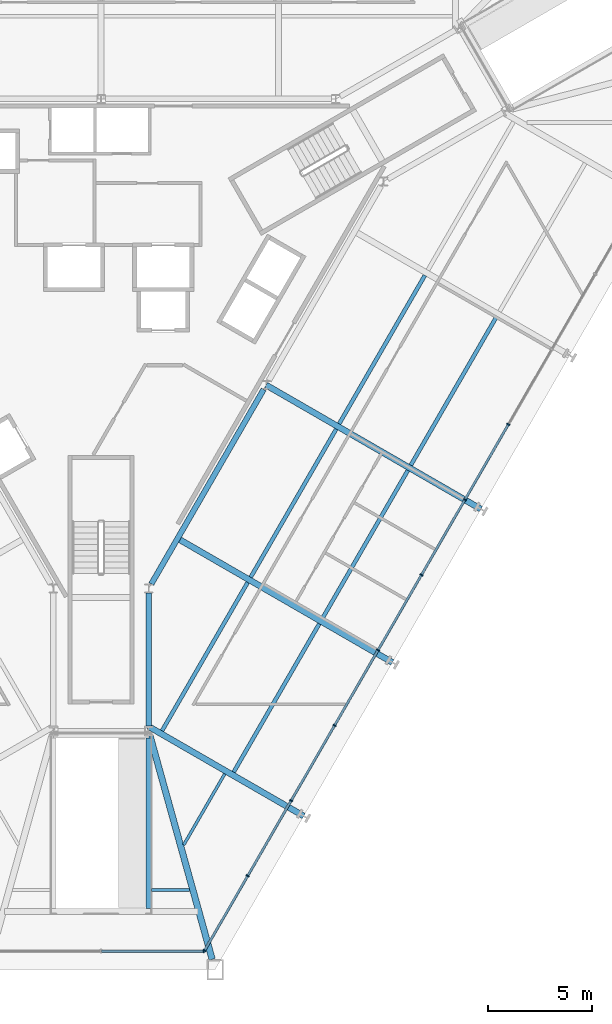
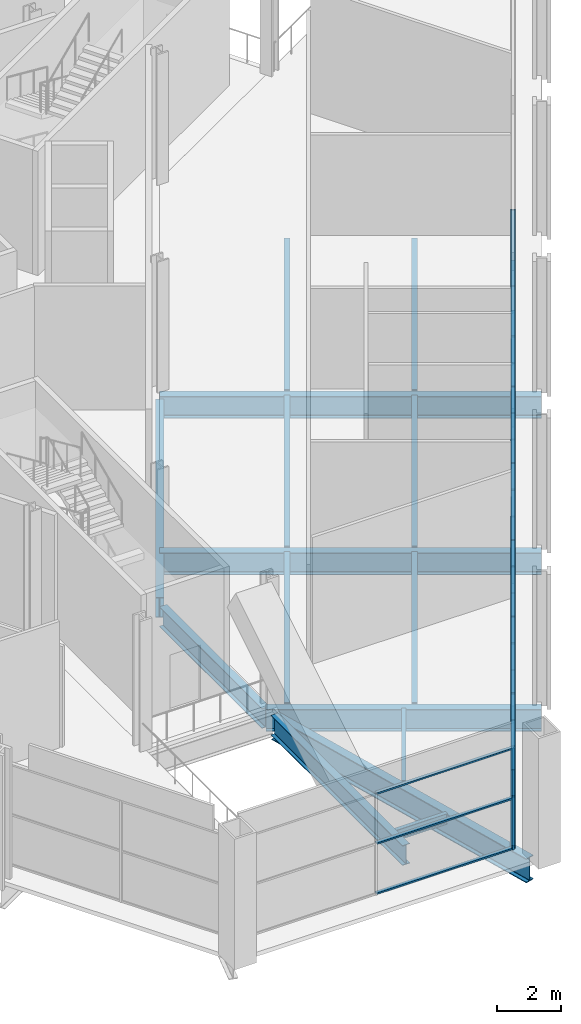
# One storey, part 4 of 20: 33 members, 15 beams, 2 elements without a shape of their own.
"""IFC4 building model written with IfcOpenShell, lengths in metres."""

from ifc_helpers import new_model, si_unit, direction, frame, origin, origin_2d, place, context, subcontext, project, spatial, rectangle, i_section, extrude, material, layer, layer_set, material_profile, profile_set, type_object, element, aggregate, save


model = new_model("IFC4")

# Units and contexts
model_context = context("Model", 3, precision=1e-05, world=origin(), true_north=direction((0.0, 1.0)))
body_context = subcontext(model_context, "Body", "Model", "MODEL_VIEW")
ifc_project = project(units=[si_unit("LENGTHUNIT", "METRE"), si_unit("AREAUNIT", "SQUARE_METRE"), si_unit("VOLUMEUNIT", "CUBIC_METRE"), si_unit("PLANEANGLEUNIT", "RADIAN"), si_unit("MASSUNIT", "GRAM", prefix="KILO")], contexts=[model_context])

# Site, building, storey
site_placement = place(None, origin())
site = spatial("IfcSite", under=ifc_project, at=site_placement, CompositionType="ELEMENT")
building_placement = place(site_placement, origin())
building = spatial("IfcBuilding", under=site, at=building_placement, Name="Verrane Prism Tower", CompositionType="ELEMENT")
storey_placement = place(building_placement, frame((0.0, 0.0, 17.39990234375)))
storey = spatial("IfcBuildingStorey", under=building, at=storey_placement, Name="L02", CompositionType="ELEMENT", Elevation=17.39990234375)

# Curtain wall, member
ifc_material_1 = material(Name="Aluminium and glass curtain wall", Category="aluminium")
ifc_layer = layer(ifc_material_1, 0.199951171875)
ifc_layer_set = layer_set([ifc_layer], Name="CWB-1 retail curtain wall")
curtain_wall_type = type_object("IfcCurtainWallType", Name="CWB-1 retail curtain wall", PredefinedType="NOTDEFINED", material=ifc_layer_set)
curtain_wall_1_placement = place(storey_placement, origin())
curtain_wall_1 = element("IfcCurtainWall", 1, at=curtain_wall_1_placement, inside=storey, type_object=curtain_wall_type, Name="Retail curtain wall L02 5", PredefinedType="NOTDEFINED")
ifc_material_2 = material(Name="Aluminium", Category="aluminium")
ifc_material_profile_1 = material_profile(ifc_material_2, rectangle(XDim=0.159912109375, YDim=0.06005859375, at=origin_2d()), Name="CWB-M 60x160 mullion")
ifc_profile_set_1 = profile_set([ifc_material_profile_1], Name="Aluminium")
member_type_1 = type_object("IfcMemberType", Name="CWB-M 60x160 mullion", PredefinedType="MULLION", material=ifc_profile_set_1)
member_1_placement = place(storey_placement, frame((4.950439453125, -31.913818359375, 0.0), z_axis=(0.0, 0.0, 1.0), x_axis=(0.0, 1.0, 0.0)))
member_1 = element("IfcMember", 2, at=member_1_placement, type_object=member_type_1, Name="CWB25 mullion 3", PredefinedType="MULLION", context=body_context, shape_type="SweptSolid", body=[
    extrude(rectangle(XDim=0.159912109375, YDim=0.06005859375, at=origin_2d()), origin(), (0.0, 0.0, 1.0), 3.89013671875),
])

# Curtain wall, members
curtain_wall_2_placement = place(storey_placement, origin())
curtain_wall_2 = element("IfcCurtainWall", 3, at=curtain_wall_2_placement, inside=storey, type_object=curtain_wall_type, Name="Retail curtain wall L02 6", PredefinedType="NOTDEFINED")
member_2_placement = place(storey_placement, frame((4.995361328125, -31.8876953125, 0.0), z_axis=(0.0, 0.0, 1.0), x_axis=(-0.866025335097, 0.50000011897, 0.0)))
member_2 = element("IfcMember", 4, at=member_2_placement, type_object=member_type_1, Name="CWB26 mullion 1", PredefinedType="MULLION", context=body_context, shape_type="SweptSolid", body=[
    extrude(rectangle(XDim=0.159912109375, YDim=0.06005859375, at=origin_2d()), origin(), (0.0, 0.0, 1.0), 3.89013671875),
])
member_3_placement = place(storey_placement, frame((7.075927734375, -28.283935546875, 0.0), z_axis=(0.0, 0.0, 1.0), x_axis=(-0.866025335097, 0.50000011897, 0.0)))
member_3 = element("IfcMember", 5, at=member_3_placement, type_object=member_type_1, Name="CWB26 mullion 2", PredefinedType="MULLION", context=body_context, shape_type="SweptSolid", body=[
    extrude(rectangle(XDim=0.159912109375, YDim=0.06005859375, at=origin_2d()), origin(), (0.0, 0.0, 1.0), 3.89013671875),
])
member_4_placement = place(storey_placement, frame((9.171630859375, -24.654052734375, 0.0), z_axis=(0.0, 0.0, 1.0), x_axis=(-0.866025335097, 0.50000011897, 0.0)))
member_4 = element("IfcMember", 6, at=member_4_placement, type_object=member_type_1, Name="CWB26 mullion 3", PredefinedType="MULLION", context=body_context, shape_type="SweptSolid", body=[
    extrude(rectangle(XDim=0.159912109375, YDim=0.06005859375, at=origin_2d()), origin(), (0.0, 0.0, 1.0), 3.89013671875),
])
member_5_placement = place(storey_placement, frame((11.267333984375, -21.0244140625, 0.0), z_axis=(0.0, 0.0, 1.0), x_axis=(-0.866025335097, 0.50000011897, 0.0)))
member_5 = element("IfcMember", 7, at=member_5_placement, type_object=member_type_1, Name="CWB26 mullion 4", PredefinedType="MULLION", context=body_context, shape_type="SweptSolid", body=[
    extrude(rectangle(XDim=0.159912109375, YDim=0.06005859375, at=origin_2d()), origin(), (0.0, 0.0, 1.0), 3.89013671875),
])
member_6_placement = place(storey_placement, frame((13.363037109375, -17.39453125, 0.0), z_axis=(0.0, 0.0, 1.0), x_axis=(-0.866025335097, 0.50000011897, 0.0)))
member_6 = element("IfcMember", 8, at=member_6_placement, type_object=member_type_1, Name="CWB26 mullion 5", PredefinedType="MULLION", context=body_context, shape_type="SweptSolid", body=[
    extrude(rectangle(XDim=0.159912109375, YDim=0.06005859375, at=origin_2d()), origin(), (0.0, 0.0, 1.0), 3.89013671875),
])
member_7_placement = place(storey_placement, frame((15.458740234375, -13.764892578125, 0.0), z_axis=(0.0, 0.0, 1.0), x_axis=(-0.866025335097, 0.50000011897, 0.0)))
member_7 = element("IfcMember", 9, at=member_7_placement, type_object=member_type_1, Name="CWB26 mullion 6", PredefinedType="MULLION", context=body_context, shape_type="SweptSolid", body=[
    extrude(rectangle(XDim=0.159912109375, YDim=0.06005859375, at=origin_2d()), origin(), (0.0, 0.0, 1.0), 3.89013671875),
])
member_8_placement = place(storey_placement, frame((17.554443359375, -10.135009765625, 0.0), z_axis=(0.0, 0.0, 1.0), x_axis=(-0.866025335097, 0.50000011897, 0.0)))
member_8 = element("IfcMember", 10, at=member_8_placement, type_object=member_type_1, Name="CWB26 mullion 7", PredefinedType="MULLION", context=body_context, shape_type="SweptSolid", body=[
    extrude(rectangle(XDim=0.159912109375, YDim=0.06005859375, at=origin_2d()), origin(), (0.0, 0.0, 1.0), 3.89013671875),
])
member_9_placement = place(storey_placement, frame((19.64990234375, -6.505126953125, 0.0), z_axis=(0.0, 0.0, 1.0), x_axis=(-0.866025335097, 0.50000011897, 0.0)))
member_9 = element("IfcMember", 11, at=member_9_placement, type_object=member_type_1, Name="CWB26 mullion 8", PredefinedType="MULLION", context=body_context, shape_type="SweptSolid", body=[
    extrude(rectangle(XDim=0.159912109375, YDim=0.06005859375, at=origin_2d()), origin(), (0.0, 0.0, 1.0), 3.89013671875),
])

# Member
ifc_material_3 = material(Name="Aluminium", Category="aluminium")
ifc_material_profile_2 = material_profile(ifc_material_3, rectangle(XDim=0.1201171875, YDim=0.06005859375, at=origin_2d()), Name="CWB-T 60x120 transom")
ifc_profile_set_2 = profile_set([ifc_material_profile_2], Name="Aluminium")
member_type_2 = type_object("IfcMemberType", Name="CWB-T 60x120 transom", PredefinedType="USERDEFINED", material=ifc_profile_set_2)
member_10_placement = place(storey_placement, frame((0.030029296875, -31.913818359375, 0.030029296875), z_axis=(1.0, 0.0, 0.0), x_axis=(0.0, 1.0, 0.0)))
member_10 = element("IfcMember", 12, at=member_10_placement, type_object=member_type_2, Name="CWB25 transom 2.1", ObjectType="TRANSOM", PredefinedType="USERDEFINED", context=body_context, shape_type="SweptSolid", body=[
    extrude(rectangle(XDim=0.1201171875, YDim=0.06005859375, at=origin_2d()), origin(), (0.0, 0.0, 1.0), 4.890380859375),
])

member_11_placement = place(storey_placement, frame((0.030029296875, -31.913818359375, 1.945068359375), z_axis=(1.0, 0.0, 0.0), x_axis=(0.0, 1.0, 0.0)))
member_11 = element("IfcMember", 13, at=member_11_placement, type_object=member_type_2, Name="CWB25 transom 2.2", ObjectType="TRANSOM", PredefinedType="USERDEFINED", context=body_context, shape_type="SweptSolid", body=[
    extrude(rectangle(XDim=0.1201171875, YDim=0.06005859375, at=origin_2d()), origin(), (0.0, 0.0, 1.0), 4.890380859375),
])

member_12_placement = place(storey_placement, frame((0.030029296875, -31.913818359375, 3.860107421875), z_axis=(1.0, 0.0, 0.0), x_axis=(0.0, 1.0, 0.0)))
member_12 = element("IfcMember", 14, at=member_12_placement, type_object=member_type_2, Name="CWB25 transom 2.3", ObjectType="TRANSOM", PredefinedType="USERDEFINED", context=body_context, shape_type="SweptSolid", body=[
    extrude(rectangle(XDim=0.1201171875, YDim=0.06005859375, at=origin_2d()), origin(), (0.0, 0.0, 1.0), 4.890380859375),
])

aggregate(curtain_wall_1, [member_1, member_10, member_11, member_12])

member_13_placement = place(storey_placement, frame((5.010498046875, -31.86181640625, 0.030029296875), z_axis=(0.499961200281, 0.866047803654, 0.0), x_axis=(-0.866047803654, 0.499961200281, 0.0)))
member_13 = element("IfcMember", 15, at=member_13_placement, type_object=member_type_2, Name="CWB26 transom 1.1", ObjectType="TRANSOM", PredefinedType="USERDEFINED", context=body_context, shape_type="SweptSolid", body=[
    extrude(rectangle(XDim=0.1201171875, YDim=0.06005859375, at=origin_2d()), origin(), (0.0, 0.0, 1.0), 4.101318359375),
])

member_14_placement = place(storey_placement, frame((5.010498046875, -31.86181640625, 1.945068359375), z_axis=(0.499961200281, 0.866047803654, 0.0), x_axis=(-0.866047803654, 0.499961200281, 0.0)))
member_14 = element("IfcMember", 16, at=member_14_placement, type_object=member_type_2, Name="CWB26 transom 1.2", ObjectType="TRANSOM", PredefinedType="USERDEFINED", context=body_context, shape_type="SweptSolid", body=[
    extrude(rectangle(XDim=0.1201171875, YDim=0.06005859375, at=origin_2d()), origin(), (0.0, 0.0, 1.0), 4.101318359375),
])

member_15_placement = place(storey_placement, frame((5.010498046875, -31.86181640625, 3.860107421875), z_axis=(0.499961200281, 0.866047803654, 0.0), x_axis=(-0.866047803654, 0.499961200281, 0.0)))
member_15 = element("IfcMember", 17, at=member_15_placement, type_object=member_type_2, Name="CWB26 transom 1.3", ObjectType="TRANSOM", PredefinedType="USERDEFINED", context=body_context, shape_type="SweptSolid", body=[
    extrude(rectangle(XDim=0.1201171875, YDim=0.06005859375, at=origin_2d()), origin(), (0.0, 0.0, 1.0), 4.101318359375),
])

member_16_placement = place(storey_placement, frame((7.091064453125, -28.258056640625, 0.030029296875), z_axis=(0.499996977546, 0.866027148792, 0.0), x_axis=(-0.866027148792, 0.499996977546, 0.0)))
member_16 = element("IfcMember", 18, at=member_16_placement, type_object=member_type_2, Name="CWB26 transom 2.1", ObjectType="TRANSOM", PredefinedType="USERDEFINED", context=body_context, shape_type="SweptSolid", body=[
    extrude(rectangle(XDim=0.1201171875, YDim=0.06005859375, at=origin_2d()), origin(), (0.0, 0.0, 1.0), 4.13134765625),
])

member_17_placement = place(storey_placement, frame((7.091064453125, -28.258056640625, 1.945068359375), z_axis=(0.499996977546, 0.866027148792, 0.0), x_axis=(-0.866027148792, 0.499996977546, 0.0)))
member_17 = element("IfcMember", 19, at=member_17_placement, type_object=member_type_2, Name="CWB26 transom 2.2", ObjectType="TRANSOM", PredefinedType="USERDEFINED", context=body_context, shape_type="SweptSolid", body=[
    extrude(rectangle(XDim=0.1201171875, YDim=0.06005859375, at=origin_2d()), origin(), (0.0, 0.0, 1.0), 4.13134765625),
])

member_18_placement = place(storey_placement, frame((7.091064453125, -28.258056640625, 3.860107421875), z_axis=(0.499996977546, 0.866027148792, 0.0), x_axis=(-0.866027148792, 0.499996977546, 0.0)))
member_18 = element("IfcMember", 20, at=member_18_placement, type_object=member_type_2, Name="CWB26 transom 2.3", ObjectType="TRANSOM", PredefinedType="USERDEFINED", context=body_context, shape_type="SweptSolid", body=[
    extrude(rectangle(XDim=0.1201171875, YDim=0.06005859375, at=origin_2d()), origin(), (0.0, 0.0, 1.0), 4.13134765625),
])

member_19_placement = place(storey_placement, frame((9.186767578125, -24.628173828125, 0.030029296875), z_axis=(0.499996977546, 0.866027148792, 0.0), x_axis=(-0.866027148792, 0.499996977546, 0.0)))
member_19 = element("IfcMember", 21, at=member_19_placement, type_object=member_type_2, Name="CWB26 transom 3.1", ObjectType="TRANSOM", PredefinedType="USERDEFINED", context=body_context, shape_type="SweptSolid", body=[
    extrude(rectangle(XDim=0.1201171875, YDim=0.06005859375, at=origin_2d()), origin(), (0.0, 0.0, 1.0), 4.13134765625),
])

member_20_placement = place(storey_placement, frame((9.186767578125, -24.628173828125, 1.945068359375), z_axis=(0.499996977546, 0.866027148792, 0.0), x_axis=(-0.866027148792, 0.499996977546, 0.0)))
member_20 = element("IfcMember", 22, at=member_20_placement, type_object=member_type_2, Name="CWB26 transom 3.2", ObjectType="TRANSOM", PredefinedType="USERDEFINED", context=body_context, shape_type="SweptSolid", body=[
    extrude(rectangle(XDim=0.1201171875, YDim=0.06005859375, at=origin_2d()), origin(), (0.0, 0.0, 1.0), 4.13134765625),
])

member_21_placement = place(storey_placement, frame((9.186767578125, -24.628173828125, 3.860107421875), z_axis=(0.499996977546, 0.866027148792, 0.0), x_axis=(-0.866027148792, 0.499996977546, 0.0)))
member_21 = element("IfcMember", 23, at=member_21_placement, type_object=member_type_2, Name="CWB26 transom 3.3", ObjectType="TRANSOM", PredefinedType="USERDEFINED", context=body_context, shape_type="SweptSolid", body=[
    extrude(rectangle(XDim=0.1201171875, YDim=0.06005859375, at=origin_2d()), origin(), (0.0, 0.0, 1.0), 4.13134765625),
])

member_22_placement = place(storey_placement, frame((11.282470703125, -20.998291015625, 0.030029296875), z_axis=(0.499978243488, 0.866037964548, 0.0), x_axis=(-0.866037964548, 0.499978243488, 0.0)))
member_22 = element("IfcMember", 24, at=member_22_placement, type_object=member_type_2, Name="CWB26 transom 4.1", ObjectType="TRANSOM", PredefinedType="USERDEFINED", context=body_context, shape_type="SweptSolid", body=[
    extrude(rectangle(XDim=0.1201171875, YDim=0.06005859375, at=origin_2d()), origin(), (0.0, 0.0, 1.0), 4.131103515625),
])

member_23_placement = place(storey_placement, frame((11.282470703125, -20.998291015625, 1.945068359375), z_axis=(0.499978243488, 0.866037964548, 0.0), x_axis=(-0.866037964548, 0.499978243488, 0.0)))
member_23 = element("IfcMember", 25, at=member_23_placement, type_object=member_type_2, Name="CWB26 transom 4.2", ObjectType="TRANSOM", PredefinedType="USERDEFINED", context=body_context, shape_type="SweptSolid", body=[
    extrude(rectangle(XDim=0.1201171875, YDim=0.06005859375, at=origin_2d()), origin(), (0.0, 0.0, 1.0), 4.131103515625),
])

member_24_placement = place(storey_placement, frame((11.282470703125, -20.998291015625, 3.860107421875), z_axis=(0.499978243488, 0.866037964548, 0.0), x_axis=(-0.866037964548, 0.499978243488, 0.0)))
member_24 = element("IfcMember", 26, at=member_24_placement, type_object=member_type_2, Name="CWB26 transom 4.3", ObjectType="TRANSOM", PredefinedType="USERDEFINED", context=body_context, shape_type="SweptSolid", body=[
    extrude(rectangle(XDim=0.1201171875, YDim=0.06005859375, at=origin_2d()), origin(), (0.0, 0.0, 1.0), 4.131103515625),
])

member_25_placement = place(storey_placement, frame((13.3779296875, -17.36865234375, 0.030029296875), z_axis=(0.499996977546, 0.866027148792, 0.0), x_axis=(-0.866027148792, 0.499996977546, 0.0)))
member_25 = element("IfcMember", 27, at=member_25_placement, type_object=member_type_2, Name="CWB26 transom 5.1", ObjectType="TRANSOM", PredefinedType="USERDEFINED", context=body_context, shape_type="SweptSolid", body=[
    extrude(rectangle(XDim=0.1201171875, YDim=0.06005859375, at=origin_2d()), origin(), (0.0, 0.0, 1.0), 4.13134765625),
])

member_26_placement = place(storey_placement, frame((13.3779296875, -17.36865234375, 1.945068359375), z_axis=(0.499996977546, 0.866027148792, 0.0), x_axis=(-0.866027148792, 0.499996977546, 0.0)))
member_26 = element("IfcMember", 28, at=member_26_placement, type_object=member_type_2, Name="CWB26 transom 5.2", ObjectType="TRANSOM", PredefinedType="USERDEFINED", context=body_context, shape_type="SweptSolid", body=[
    extrude(rectangle(XDim=0.1201171875, YDim=0.06005859375, at=origin_2d()), origin(), (0.0, 0.0, 1.0), 4.13134765625),
])

member_27_placement = place(storey_placement, frame((13.3779296875, -17.36865234375, 3.860107421875), z_axis=(0.499996977546, 0.866027148792, 0.0), x_axis=(-0.866027148792, 0.499996977546, 0.0)))
member_27 = element("IfcMember", 29, at=member_27_placement, type_object=member_type_2, Name="CWB26 transom 5.3", ObjectType="TRANSOM", PredefinedType="USERDEFINED", context=body_context, shape_type="SweptSolid", body=[
    extrude(rectangle(XDim=0.1201171875, YDim=0.06005859375, at=origin_2d()), origin(), (0.0, 0.0, 1.0), 4.13134765625),
])

member_28_placement = place(storey_placement, frame((15.4736328125, -13.73876953125, 0.030029296875), z_axis=(0.499996977546, 0.866027148792, 0.0), x_axis=(-0.866027148792, 0.499996977546, 0.0)))
member_28 = element("IfcMember", 30, at=member_28_placement, type_object=member_type_2, Name="CWB26 transom 6.1", ObjectType="TRANSOM", PredefinedType="USERDEFINED", context=body_context, shape_type="SweptSolid", body=[
    extrude(rectangle(XDim=0.1201171875, YDim=0.06005859375, at=origin_2d()), origin(), (0.0, 0.0, 1.0), 4.13134765625),
])

member_29_placement = place(storey_placement, frame((15.4736328125, -13.73876953125, 1.945068359375), z_axis=(0.499996977546, 0.866027148792, 0.0), x_axis=(-0.866027148792, 0.499996977546, 0.0)))
member_29 = element("IfcMember", 31, at=member_29_placement, type_object=member_type_2, Name="CWB26 transom 6.2", ObjectType="TRANSOM", PredefinedType="USERDEFINED", context=body_context, shape_type="SweptSolid", body=[
    extrude(rectangle(XDim=0.1201171875, YDim=0.06005859375, at=origin_2d()), origin(), (0.0, 0.0, 1.0), 4.13134765625),
])

member_30_placement = place(storey_placement, frame((15.4736328125, -13.73876953125, 3.860107421875), z_axis=(0.499996977546, 0.866027148792, 0.0), x_axis=(-0.866027148792, 0.499996977546, 0.0)))
member_30 = element("IfcMember", 32, at=member_30_placement, type_object=member_type_2, Name="CWB26 transom 6.3", ObjectType="TRANSOM", PredefinedType="USERDEFINED", context=body_context, shape_type="SweptSolid", body=[
    extrude(rectangle(XDim=0.1201171875, YDim=0.06005859375, at=origin_2d()), origin(), (0.0, 0.0, 1.0), 4.13134765625),
])

member_31_placement = place(storey_placement, frame((17.5693359375, -10.109130859375, 0.030029296875), z_axis=(0.499996977546, 0.866027148792, 0.0), x_axis=(-0.866027148792, 0.499996977546, 0.0)))
member_31 = element("IfcMember", 33, at=member_31_placement, type_object=member_type_2, Name="CWB26 transom 7.1", ObjectType="TRANSOM", PredefinedType="USERDEFINED", context=body_context, shape_type="SweptSolid", body=[
    extrude(rectangle(XDim=0.1201171875, YDim=0.06005859375, at=origin_2d()), origin(), (0.0, 0.0, 1.0), 4.13134765625),
])

member_32_placement = place(storey_placement, frame((17.5693359375, -10.109130859375, 1.945068359375), z_axis=(0.499996977546, 0.866027148792, 0.0), x_axis=(-0.866027148792, 0.499996977546, 0.0)))
member_32 = element("IfcMember", 34, at=member_32_placement, type_object=member_type_2, Name="CWB26 transom 7.2", ObjectType="TRANSOM", PredefinedType="USERDEFINED", context=body_context, shape_type="SweptSolid", body=[
    extrude(rectangle(XDim=0.1201171875, YDim=0.06005859375, at=origin_2d()), origin(), (0.0, 0.0, 1.0), 4.13134765625),
])

member_33_placement = place(storey_placement, frame((17.5693359375, -10.109130859375, 3.860107421875), z_axis=(0.499996977546, 0.866027148792, 0.0), x_axis=(-0.866027148792, 0.499996977546, 0.0)))
member_33 = element("IfcMember", 35, at=member_33_placement, type_object=member_type_2, Name="CWB26 transom 7.3", ObjectType="TRANSOM", PredefinedType="USERDEFINED", context=body_context, shape_type="SweptSolid", body=[
    extrude(rectangle(XDim=0.1201171875, YDim=0.06005859375, at=origin_2d()), origin(), (0.0, 0.0, 1.0), 4.13134765625),
])

aggregate(curtain_wall_2, [member_2, member_3, member_4, member_5, member_6, member_7, member_8, member_9, member_13, member_14, member_15, member_16, member_17, member_18, member_19, member_20, member_21, member_22, member_23, member_24, member_25, member_26, member_27, member_28, member_29, member_30, member_31, member_32, member_33])

# Beams
ifc_material_4 = material(Name="Steel A992", Category="steel")
ifc_material_profile_3 = material_profile(ifc_material_4, i_section(OverallWidth=0.2666015625, OverallDepth=0.76708984375, WebThickness=0.014892578125, FlangeThickness=0.023681640625, FilletRadius=0.0166015625, at=origin_2d()), Name="W30x124")
ifc_profile_set_3 = profile_set([ifc_material_profile_3], Name="Steel A992")
beam_type_1 = type_object("IfcBeamType", Name="Core ring girder W30x124", PredefinedType="BEAM", material=ifc_profile_set_3)
beam_1_placement = place(storey_placement, frame((2.300048828125, -21.0625, -0.63330078125), z_axis=(0.0, 1.0, 0.0), x_axis=(-1.0, 0.0, 0.0)))
element("IfcBeam", 36, at=beam_1_placement, inside=storey, type_object=beam_type_1, Name="Core ring girder L02", PredefinedType="BEAM", context=body_context, shape_type="SweptSolid", body=[
    extrude(i_section(OverallWidth=0.2666015625, OverallDepth=0.76708984375, WebThickness=0.014892578125, FlangeThickness=0.023681640625, FilletRadius=0.0166015625, at=origin_2d()), origin(), (0.0, 0.0, 1.0), 6.42529296875),
])
beam_2_placement = place(storey_placement, frame((2.42529296875, -14.202880859375, -0.63330078125), z_axis=(0.500022744667, 0.866012271747, 0.0), x_axis=(-0.866012271747, 0.500022744667, 0.0)))
element("IfcBeam", 37, at=beam_2_placement, inside=storey, type_object=beam_type_1, Name="Core ring girder L02", PredefinedType="BEAM", context=body_context, shape_type="SweptSolid", body=[
    extrude(i_section(OverallWidth=0.2666015625, OverallDepth=0.76708984375, WebThickness=0.014892578125, FlangeThickness=0.023681640625, FilletRadius=0.0166015625, at=origin_2d()), origin(), (0.0, 0.0, 1.0), 10.837890625),
])
ifc_material_5 = material(Name="Steel A992", Category="steel")
ifc_material_profile_4 = material_profile(ifc_material_5, i_section(OverallWidth=0.307373046875, OverallDepth=0.927001953125, WebThickness=0.01953125, FlangeThickness=0.031982421875, FilletRadius=0.01904296875, at=origin_2d()), Name="W36x194")
ifc_profile_set_4 = profile_set([ifc_material_profile_4], Name="Steel A992")
beam_type_2 = type_object("IfcBeamType", Name="Corner girder W36x194", PredefinedType="BEAM", material=ifc_profile_set_4)
beam_3_placement = place(storey_placement, frame((5.361083984375, -32.31005859375, -0.68359375), z_axis=(-0.267873594468, 0.963454066049, 0.0), x_axis=(-0.963454066049, -0.267873594468, 0.0)))
element("IfcBeam", 38, at=beam_3_placement, inside=storey, type_object=beam_type_2, Name="Corner girder L02", PredefinedType="BEAM", context=body_context, shape_type="SweptSolid", body=[
    extrude(i_section(OverallWidth=0.307373046875, OverallDepth=0.927001953125, WebThickness=0.01953125, FlangeThickness=0.031982421875, FilletRadius=0.01904296875, at=origin_2d()), origin(), (0.0, 0.0, 1.0), 11.18115234375),
])
ifc_material_6 = material(Name="Steel A992", Category="steel")
ifc_material_profile_5 = material_profile(ifc_material_6, i_section(OverallWidth=0.140380859375, OverallDepth=0.40380859375, WebThickness=0.007080078125, FlangeThickness=0.01123046875, FilletRadius=0.01025390625, at=origin_2d()), Name="W16x31")
ifc_profile_set_5 = profile_set([ifc_material_profile_5], Name="Steel A992")
beam_type_3 = type_object("IfcBeamType", Name="Floor beam W16x31", PredefinedType="BEAM", material=ifc_profile_set_5)
beam_4_placement = place(storey_placement, frame((3.9873046875, -26.795654296875, -0.36181640625), z_axis=(0.499978641112, 0.866037734993, 0.0), x_axis=(-0.866037734993, 0.499978641112, 0.0)))
element("IfcBeam", 39, at=beam_4_placement, inside=storey, type_object=beam_type_3, Name="Floor beam L02", PredefinedType="BEAM", context=body_context, shape_type="SweptSolid", body=[
    extrude(i_section(OverallWidth=0.140380859375, OverallDepth=0.40380859375, WebThickness=0.007080078125, FlangeThickness=0.01123046875, FilletRadius=0.01025390625, at=origin_2d()), origin(), (0.0, 0.0, 1.0), 3.959716796875),
])
beam_5_placement = place(storey_placement, frame((2.43359375, -28.973388671875, -0.36181640625), z_axis=(1.0, 0.0, 0.0), x_axis=(0.0, 1.0, 0.0)))
element("IfcBeam", 40, at=beam_5_placement, inside=storey, type_object=beam_type_3, Name="Floor beam L02", PredefinedType="BEAM", context=body_context, shape_type="SweptSolid", body=[
    extrude(i_section(OverallWidth=0.140380859375, OverallDepth=0.40380859375, WebThickness=0.007080078125, FlangeThickness=0.01123046875, FilletRadius=0.01025390625, at=origin_2d()), origin(), (0.0, 0.0, 1.0), 1.84033203125),
])
ifc_material_7 = material(Name="Steel A992", Category="steel")
ifc_material_profile_6 = material_profile(ifc_material_7, i_section(OverallWidth=0.1904296875, OverallDepth=0.457275390625, WebThickness=0.009033203125, FlangeThickness=0.014404296875, FilletRadius=0.01025390625, at=origin_2d()), Name="W18x50")
ifc_profile_set_6 = profile_set([ifc_material_profile_6], Name="Steel A992")
beam_type_4 = type_object("IfcBeamType", Name="Floor beam W18x50", PredefinedType="BEAM", material=ifc_profile_set_6)
beam_6_placement = place(storey_placement, frame((6.39892578125, -23.27880859375, -0.388427734375), z_axis=(0.499996977546, 0.866027148792, 0.0), x_axis=(-0.866027148792, 0.499996977546, 0.0)))
element("IfcBeam", 41, at=beam_6_placement, inside=storey, type_object=beam_type_4, Name="Floor beam L02", PredefinedType="BEAM", context=body_context, shape_type="SweptSolid", body=[
    extrude(i_section(OverallWidth=0.1904296875, OverallDepth=0.457275390625, WebThickness=0.009033203125, FlangeThickness=0.014404296875, FilletRadius=0.01025390625, at=origin_2d()), origin(), (0.0, 0.0, 1.0), 8.2626953125),
])
beam_7_placement = place(storey_placement, frame((2.943603515625, -21.283203125, -0.388427734375), z_axis=(0.500014123243, 0.866017249573, 0.0), x_axis=(-0.866017249573, 0.500014123243, 0.0)))
element("IfcBeam", 42, at=beam_7_placement, inside=storey, type_object=beam_type_4, Name="Floor beam L02", PredefinedType="BEAM", context=body_context, shape_type="SweptSolid", body=[
    extrude(i_section(OverallWidth=0.1904296875, OverallDepth=0.457275390625, WebThickness=0.009033203125, FlangeThickness=0.014404296875, FilletRadius=0.01025390625, at=origin_2d()), origin(), (0.0, 0.0, 1.0), 8.260009765625),
])
beam_8_placement = place(storey_placement, frame((10.67626953125, -15.8701171875, -0.388427734375), z_axis=(0.500010949126, 0.866019082211, 0.0), x_axis=(-0.866019082211, 0.500010949126, 0.0)))
element("IfcBeam", 43, at=beam_8_placement, inside=storey, type_object=beam_type_4, Name="Floor beam L02", PredefinedType="BEAM", context=body_context, shape_type="SweptSolid", body=[
    extrude(i_section(OverallWidth=0.1904296875, OverallDepth=0.457275390625, WebThickness=0.009033203125, FlangeThickness=0.014404296875, FilletRadius=0.01025390625, at=origin_2d()), origin(), (0.0, 0.0, 1.0), 8.253173828125),
])
beam_9_placement = place(storey_placement, frame((7.2197265625, -13.876953125, -0.388427734375), z_axis=(0.499987846292, 0.866032420617, 0.0), x_axis=(-0.866032420617, 0.499987846292, 0.0)))
element("IfcBeam", 44, at=beam_9_placement, inside=storey, type_object=beam_type_4, Name="Floor beam L02", PredefinedType="BEAM", context=body_context, shape_type="SweptSolid", body=[
    extrude(i_section(OverallWidth=0.1904296875, OverallDepth=0.457275390625, WebThickness=0.009033203125, FlangeThickness=0.014404296875, FilletRadius=0.01025390625, at=origin_2d()), origin(), (0.0, 0.0, 1.0), 8.255126953125),
])
beam_10_placement = place(storey_placement, frame((14.947021484375, -8.46875, -0.388427734375), z_axis=(0.500007931068, 0.866020824732, 0.0), x_axis=(-0.866020824732, 0.500007931068, 0.0)))
element("IfcBeam", 45, at=beam_10_placement, inside=storey, type_object=beam_type_4, Name="Floor beam L02", PredefinedType="BEAM", context=body_context, shape_type="SweptSolid", body=[
    extrude(i_section(OverallWidth=0.1904296875, OverallDepth=0.457275390625, WebThickness=0.009033203125, FlangeThickness=0.014404296875, FilletRadius=0.01025390625, at=origin_2d()), origin(), (0.0, 0.0, 1.0), 8.266357421875),
])
beam_11_placement = place(storey_placement, frame((11.48974609375, -6.47314453125, -0.388427734375), z_axis=(0.500010437756, 0.866019377459, 0.0), x_axis=(-0.866019377459, 0.500010437756, 0.0)))
element("IfcBeam", 46, at=beam_11_placement, inside=storey, type_object=beam_type_4, Name="Floor beam L02", PredefinedType="BEAM", context=body_context, shape_type="SweptSolid", body=[
    extrude(i_section(OverallWidth=0.1904296875, OverallDepth=0.457275390625, WebThickness=0.009033203125, FlangeThickness=0.014404296875, FilletRadius=0.01025390625, at=origin_2d()), origin(), (0.0, 0.0, 1.0), 8.267822265625),
])
ifc_material_8 = material(Name="Steel A992", Category="steel")
ifc_material_profile_7 = material_profile(ifc_material_8, i_section(OverallWidth=0.2919921875, OverallDepth=0.845703125, WebThickness=0.015380859375, FlangeThickness=0.0244140625, FilletRadius=0.017822265625, at=origin_2d()), Name="W33x141")
ifc_profile_set_7 = profile_set([ifc_material_profile_7], Name="Steel A992")
beam_type_5 = type_object("IfcBeamType", Name="Radial girder W33x141", PredefinedType="BEAM", material=ifc_profile_set_7)
beam_12_placement = place(storey_placement, frame((9.780029296875, -25.39990234375, -0.642822265625), z_axis=(-0.866023660206, 0.500003019955, 0.0), x_axis=(-0.500003019955, -0.866023660206, 0.0)))
element("IfcBeam", 47, at=beam_12_placement, inside=storey, type_object=beam_type_5, Name="Radial girder L02", PredefinedType="BEAM", context=body_context, shape_type="SweptSolid", body=[
    extrude(i_section(OverallWidth=0.2919921875, OverallDepth=0.845703125, WebThickness=0.015380859375, FlangeThickness=0.0244140625, FilletRadius=0.017822265625, at=origin_2d()), origin(), (0.0, 0.0, 1.0), 8.63720703125),
])
beam_13_placement = place(storey_placement, frame((14.06005859375, -17.989990234375, -0.642822265625), z_axis=(-0.866031719379, 0.499989060909, 0.0), x_axis=(-0.499989060909, -0.866031719379, 0.0)))
element("IfcBeam", 48, at=beam_13_placement, inside=storey, type_object=beam_type_5, Name="Radial girder L02", PredefinedType="BEAM", context=body_context, shape_type="SweptSolid", body=[
    extrude(i_section(OverallWidth=0.2919921875, OverallDepth=0.845703125, WebThickness=0.015380859375, FlangeThickness=0.0244140625, FilletRadius=0.017822265625, at=origin_2d()), origin(), (0.0, 0.0, 1.0), 11.969482421875),
])
beam_14_placement = place(storey_placement, frame((18.330078125, -10.590087890625, -0.642822265625), z_axis=(-0.866021154013, 0.500007360747, 0.0), x_axis=(-0.500007360747, -0.866021154013, 0.0)))
element("IfcBeam", 49, at=beam_14_placement, inside=storey, type_object=beam_type_5, Name="Radial girder L02", PredefinedType="BEAM", context=body_context, shape_type="SweptSolid", body=[
    extrude(i_section(OverallWidth=0.2919921875, OverallDepth=0.845703125, WebThickness=0.015380859375, FlangeThickness=0.0244140625, FilletRadius=0.017822265625, at=origin_2d()), origin(), (0.0, 0.0, 1.0), 11.967041015625),
])
ifc_material_9 = material(Name="Steel A992", Category="steel")
ifc_material_profile_8 = material_profile(ifc_material_9, i_section(OverallWidth=0.2666015625, OverallDepth=0.76708984375, WebThickness=0.014892578125, FlangeThickness=0.023681640625, FilletRadius=0.0166015625, at=origin_2d()), Name="W30x124")
ifc_profile_set_8 = profile_set([ifc_material_profile_8], Name="Steel A992")
beam_type_6 = type_object("IfcBeamType", Name="Slab edge girder W30x124", PredefinedType="BEAM", material=ifc_profile_set_8)
beam_15_placement = place(storey_placement, frame((2.300048828125, -29.860107421875, -0.54345703125), z_axis=(0.0, 1.0, 0.0), x_axis=(-1.0, 0.0, 0.0)))
element("IfcBeam", 50, at=beam_15_placement, inside=storey, type_object=beam_type_6, Name="Slab edge girder L02", PredefinedType="BEAM", context=body_context, shape_type="SweptSolid", body=[
    extrude(i_section(OverallWidth=0.2666015625, OverallDepth=0.76708984375, WebThickness=0.014892578125, FlangeThickness=0.023681640625, FilletRadius=0.0166015625, at=origin_2d()), origin(), (0.0, 0.0, 1.0), 8.230224609375),
])

save(model, "model.ifc")
